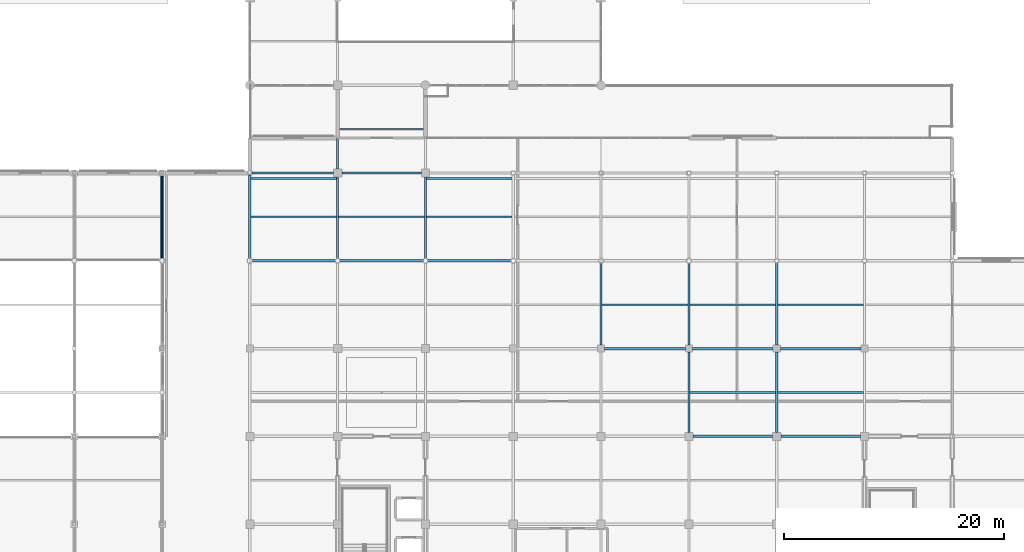
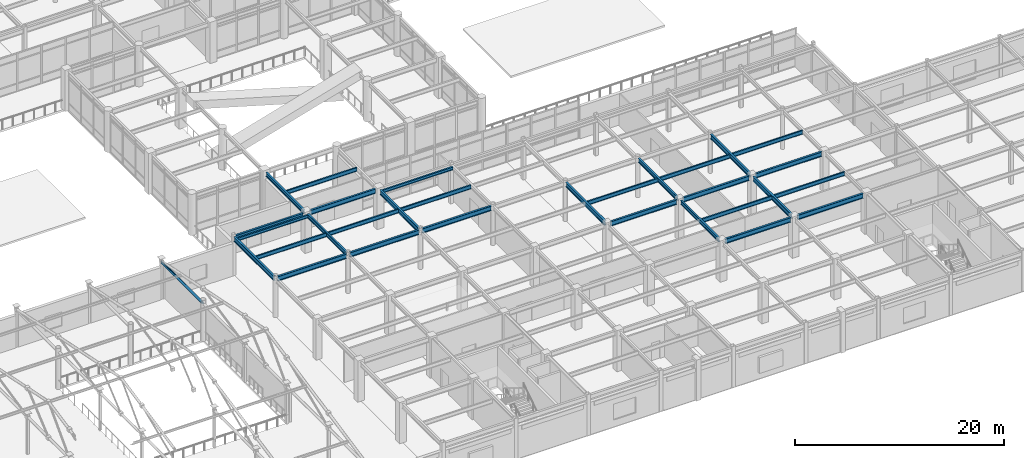
# One storey, part 32 of 117: 30 beams, 2 members.
"""IFC4 building model written with IfcOpenShell, lengths in metres."""

from ifc_helpers import new_model, si_unit, direction, frame, origin, origin_2d, place, context, subcontext, project, spatial, hollow_circle, i_section, extrude, material, material_profile, profile_set, type_object, element, save


model = new_model("IFC4")

# Units and contexts
model_context = context("Model", 3, precision=1e-05, world=origin(), true_north=direction((0.0, 1.0)))
body_context = subcontext(model_context, "Body", "Model", "MODEL_VIEW")
ifc_project = project(units=[si_unit("LENGTHUNIT", "METRE"), si_unit("AREAUNIT", "SQUARE_METRE"), si_unit("VOLUMEUNIT", "CUBIC_METRE"), si_unit("PLANEANGLEUNIT", "RADIAN"), si_unit("MASSUNIT", "GRAM", prefix="KILO")], contexts=[model_context])

# Site, building, storey
site_placement = place(None, origin())
site = spatial("IfcSite", under=ifc_project, at=site_placement, CompositionType="ELEMENT")
building_placement = place(site_placement, origin())
building = spatial("IfcBuilding", under=site, at=building_placement, Name="Solmirada Galleria", CompositionType="ELEMENT")
storey_placement = place(building_placement, frame((0.0, 0.0, 5.60009765625)))
storey = spatial("IfcBuildingStorey", under=building, at=storey_placement, Name="L01", CompositionType="ELEMENT", Elevation=5.60009765625)

# Beams
ifc_material_1 = material(Name="Steel S355 / ASTM A992 Grade 50", Category="steel")
ifc_material_profile_1 = material_profile(ifc_material_1, i_section(OverallWidth=0.194091796875, OverallDepth=0.468994140625, WebThickness=0.0126953125, FlangeThickness=0.0205078125, FilletRadius=0.013916015625, at=origin_2d()), Name="W18X71")
ifc_profile_set_1 = profile_set([ifc_material_profile_1], Name="Steel S355 / ASTM A992 Grade 50")
beam_type_1 = type_object("IfcBeamType", Name="BM-GIRD-W18B", PredefinedType="BEAM", material=ifc_profile_set_1)
beam_1_placement = place(storey_placement, frame((88.0, 32.19189453125, 4.325439453125), z_axis=(0.0, 1.0, 0.0), x_axis=(-1.0, 0.0, 0.0)))
element("IfcBeam", 1, at=beam_1_placement, inside=storey, type_object=beam_type_1, Name="Primary girder L02 Y(88, 32..40)", PredefinedType="BEAM", context=body_context, shape_type="SweptSolid", body=[
    extrude(i_section(OverallWidth=0.194091796875, OverallDepth=0.468994140625, WebThickness=0.0126953125, FlangeThickness=0.0205078125, FilletRadius=0.013916015625, at=origin_2d()), origin(), (0.0, 0.0, 1.0), 7.43310546875),
])
beam_2_placement = place(storey_placement, frame((88.0, 40.375, 4.325439453125), z_axis=(0.0, 1.0, 0.0), x_axis=(-1.0, 0.0, 0.0)))
element("IfcBeam", 2, at=beam_2_placement, inside=storey, type_object=beam_type_1, Name="Primary girder L02 Y(88, 40..48)", PredefinedType="BEAM", context=body_context, shape_type="SweptSolid", body=[
    extrude(i_section(OverallWidth=0.194091796875, OverallDepth=0.468994140625, WebThickness=0.0126953125, FlangeThickness=0.0205078125, FilletRadius=0.013916015625, at=origin_2d()), origin(), (0.0, 0.0, 1.0), 7.22509765625),
])
beam_3_placement = place(storey_placement, frame((120.0, 16.375, 4.365478515625), z_axis=(0.0, 1.0, 0.0), x_axis=(-1.0, 0.0, 0.0)))
element("IfcBeam", 3, at=beam_3_placement, inside=storey, type_object=beam_type_1, Name="Primary girder L02 Y(120, 16..24)", PredefinedType="BEAM", context=body_context, shape_type="SweptSolid", body=[
    extrude(i_section(OverallWidth=0.194091796875, OverallDepth=0.468994140625, WebThickness=0.0126953125, FlangeThickness=0.0205078125, FilletRadius=0.013916015625, at=origin_2d()), origin(), (0.0, 0.0, 1.0), 7.300048828125),
])
beam_4_placement = place(storey_placement, frame((120.0, 24.324951171875, 4.365478515625), z_axis=(0.0, 1.0, 0.0), x_axis=(-1.0, 0.0, 0.0)))
element("IfcBeam", 4, at=beam_4_placement, inside=storey, type_object=beam_type_1, Name="Primary girder L02 Y(120, 24..32)", PredefinedType="BEAM", context=body_context, shape_type="SweptSolid", body=[
    extrude(i_section(OverallWidth=0.194091796875, OverallDepth=0.468994140625, WebThickness=0.0126953125, FlangeThickness=0.0205078125, FilletRadius=0.013916015625, at=origin_2d()), origin(), (0.0, 0.0, 1.0), 7.483154296875),
])
ifc_material_profile_2 = material_profile(ifc_material_1, i_section(OverallWidth=0.214111328125, OverallDepth=0.549072265625, WebThickness=0.0146484375, FlangeThickness=0.023681640625, FilletRadius=0.014892578125, at=origin_2d()), Name="W21X93")
ifc_profile_set_2 = profile_set([ifc_material_profile_2], Name="Steel S355 / ASTM A992 Grade 50")
beam_type_2 = type_object("IfcBeamType", Name="BM-GIRD-W21A", PredefinedType="BEAM", material=ifc_profile_set_2)
beam_5_placement = place(storey_placement, frame((80.21337890625, 32.0, 4.325439453125), z_axis=(1.0, 0.0, 0.0), x_axis=(0.0, 1.0, 0.0)))
element("IfcBeam", 5, at=beam_5_placement, inside=storey, type_object=beam_type_2, Name="Primary beam L02 X(80..88, 32)", PredefinedType="BEAM", context=body_context, shape_type="SweptSolid", body=[
    extrude(i_section(OverallWidth=0.214111328125, OverallDepth=0.549072265625, WebThickness=0.0146484375, FlangeThickness=0.023681640625, FilletRadius=0.014892578125, at=origin_2d()), origin(), (0.0, 0.0, 1.0), 7.5947265625),
])
for number, where, z_axis, x_axis, name in (
    (6, (88.19189453125, 32.0, 4.325439453125), (1.0, 0.0, 0.0), (0.0, 1.0, 0.0), "Primary beam L02 X(88..96, 32)"),
    (7, (96.19189453125, 32.0, 4.325439453125), (1.0, 0.0, 0.0), (0.0, 1.0, 0.0), "Primary beam L02 X(96..104, 32)"),
):
    element("IfcBeam", number, at=place(storey_placement, frame(where, z_axis=z_axis, x_axis=x_axis)), inside=storey, type_object=beam_type_2, Name=name, PredefinedType="BEAM", context=body_context, shape_type="SweptSolid", body=[
        extrude(i_section(OverallWidth=0.214111328125, OverallDepth=0.549072265625, WebThickness=0.0146484375, FlangeThickness=0.023681640625, FilletRadius=0.014892578125, at=origin_2d()), origin(), (0.0, 0.0, 1.0), 7.6162109375),
    ])
for number, where, z_axis, x_axis, name in (
    (8, (120.375, 16.0, 4.325439453125), (1.0, 0.0, 0.0), (0.0, 1.0, 0.0), "Primary beam L02 X(120..128, 16)"),
    (9, (128.375, 16.0, 4.325439453125), (1.0, 0.0, 0.0), (0.0, 1.0, 0.0), "Primary beam L02 X(128..136, 16)"),
):
    element("IfcBeam", number, at=place(storey_placement, frame(where, z_axis=z_axis, x_axis=x_axis)), inside=storey, type_object=beam_type_2, Name=name, PredefinedType="BEAM", context=body_context, shape_type="SweptSolid", body=[
        extrude(i_section(OverallWidth=0.214111328125, OverallDepth=0.549072265625, WebThickness=0.0146484375, FlangeThickness=0.023681640625, FilletRadius=0.014892578125, at=origin_2d()), origin(), (0.0, 0.0, 1.0), 7.25),
    ])
ifc_material_profile_3 = material_profile(ifc_material_1, i_section(OverallWidth=0.2099609375, OverallDepth=0.537109375, WebThickness=0.010986328125, FlangeThickness=0.017333984375, FilletRadius=0.014892578125, at=origin_2d()), Name="W21X68")
ifc_profile_set_3 = profile_set([ifc_material_profile_3], Name="Steel S355 / ASTM A992 Grade 50")
beam_type_3 = type_object("IfcBeamType", Name="BM-GIRD-W21B", PredefinedType="BEAM", material=ifc_profile_set_3)
beam_6_placement = place(storey_placement, frame((80.177978515625, 40.0, 4.29150390625), z_axis=(1.0, 0.0, 0.0), x_axis=(0.0, 1.0, 0.0)))
element("IfcBeam", 10, at=beam_6_placement, inside=storey, type_object=beam_type_3, Name="Primary beam L02 X(80..88, 40)", PredefinedType="BEAM", context=body_context, shape_type="SweptSolid", body=[
    extrude(i_section(OverallWidth=0.2099609375, OverallDepth=0.537109375, WebThickness=0.010986328125, FlangeThickness=0.017333984375, FilletRadius=0.014892578125, at=origin_2d()), origin(), (0.0, 0.0, 1.0), 7.447021484375),
])
beam_7_placement = place(storey_placement, frame((88.375, 40.0, 4.331298828125), z_axis=(1.0, 0.0, 0.0), x_axis=(0.0, 1.0, 0.0)))
element("IfcBeam", 11, at=beam_7_placement, inside=storey, type_object=beam_type_3, Name="Primary beam L02 X(88..96, 40)", PredefinedType="BEAM", context=body_context, shape_type="SweptSolid", body=[
    extrude(i_section(OverallWidth=0.2099609375, OverallDepth=0.537109375, WebThickness=0.010986328125, FlangeThickness=0.017333984375, FilletRadius=0.014892578125, at=origin_2d()), origin(), (0.0, 0.0, 1.0), 7.25),
])
for number, where, z_axis, x_axis, name in (
    (12, (112.324951171875, 24.0, 4.331298828125), (1.0, 0.0, 0.0), (0.0, 1.0, 0.0), "Primary beam L02 X(112..120, 24)"),
    (13, (120.324951171875, 24.0, 4.331298828125), (1.0, 0.0, 0.0), (0.0, 1.0, 0.0), "Primary beam L02 X(120..128, 24)"),
    (14, (128.324951171875, 24.0, 4.331298828125), (1.0, 0.0, 0.0), (0.0, 1.0, 0.0), "Primary beam L02 X(128..136, 24)"),
):
    element("IfcBeam", number, at=place(storey_placement, frame(where, z_axis=z_axis, x_axis=x_axis)), inside=storey, type_object=beam_type_3, Name=name, PredefinedType="BEAM", context=body_context, shape_type="SweptSolid", body=[
        extrude(i_section(OverallWidth=0.2099609375, OverallDepth=0.537109375, WebThickness=0.010986328125, FlangeThickness=0.017333984375, FilletRadius=0.014892578125, at=origin_2d()), origin(), (0.0, 0.0, 1.0), 7.35009765625),
    ])
beam_8_placement = place(storey_placement, frame((80.0, 32.21337890625, 4.29150390625), z_axis=(0.0, 1.0, 0.0), x_axis=(-1.0, 0.0, 0.0)))
element("IfcBeam", 15, at=beam_8_placement, inside=storey, type_object=beam_type_3, Name="Primary girder L02 Y(80, 32..40)", PredefinedType="BEAM", context=body_context, shape_type="SweptSolid", body=[
    extrude(i_section(OverallWidth=0.2099609375, OverallDepth=0.537109375, WebThickness=0.010986328125, FlangeThickness=0.017333984375, FilletRadius=0.014892578125, at=origin_2d()), origin(), (0.0, 0.0, 1.0), 7.608642578125),
])
beam_9_placement = place(storey_placement, frame((96.0, 32.19189453125, 4.29150390625), z_axis=(0.0, 1.0, 0.0), x_axis=(-1.0, 0.0, 0.0)))
element("IfcBeam", 16, at=beam_9_placement, inside=storey, type_object=beam_type_3, Name="Primary girder L02 Y(96, 32..40)", PredefinedType="BEAM", context=body_context, shape_type="SweptSolid", body=[
    extrude(i_section(OverallWidth=0.2099609375, OverallDepth=0.537109375, WebThickness=0.010986328125, FlangeThickness=0.017333984375, FilletRadius=0.014892578125, at=origin_2d()), origin(), (0.0, 0.0, 1.0), 7.43310546875),
])
beam_10_placement = place(storey_placement, frame((112.0, 24.324951171875, 4.331298828125), z_axis=(0.0, 1.0, 0.0), x_axis=(-1.0, 0.0, 0.0)))
element("IfcBeam", 17, at=beam_10_placement, inside=storey, type_object=beam_type_3, Name="Primary girder L02 Y(112, 24..32)", PredefinedType="BEAM", context=body_context, shape_type="SweptSolid", body=[
    extrude(i_section(OverallWidth=0.2099609375, OverallDepth=0.537109375, WebThickness=0.010986328125, FlangeThickness=0.017333984375, FilletRadius=0.014892578125, at=origin_2d()), origin(), (0.0, 0.0, 1.0), 7.483154296875),
])
beam_11_placement = place(storey_placement, frame((128.0, 16.375, 4.331298828125), z_axis=(0.0, 1.0, 0.0), x_axis=(-1.0, 0.0, 0.0)))
element("IfcBeam", 18, at=beam_11_placement, inside=storey, type_object=beam_type_3, Name="Primary girder L02 Y(128, 16..24)", PredefinedType="BEAM", context=body_context, shape_type="SweptSolid", body=[
    extrude(i_section(OverallWidth=0.2099609375, OverallDepth=0.537109375, WebThickness=0.010986328125, FlangeThickness=0.017333984375, FilletRadius=0.014892578125, at=origin_2d()), origin(), (0.0, 0.0, 1.0), 7.300048828125),
])
beam_12_placement = place(storey_placement, frame((128.0, 24.324951171875, 4.331298828125), z_axis=(0.0, 1.0, 0.0), x_axis=(-1.0, 0.0, 0.0)))
element("IfcBeam", 19, at=beam_12_placement, inside=storey, type_object=beam_type_3, Name="Primary girder L02 Y(128, 24..32)", PredefinedType="BEAM", context=body_context, shape_type="SweptSolid", body=[
    extrude(i_section(OverallWidth=0.2099609375, OverallDepth=0.537109375, WebThickness=0.010986328125, FlangeThickness=0.017333984375, FilletRadius=0.014892578125, at=origin_2d()), origin(), (0.0, 0.0, 1.0), 7.504638671875),
])
ifc_material_profile_4 = material_profile(ifc_material_1, i_section(OverallWidth=0.1708984375, OverallDepth=0.35205078125, WebThickness=0.0068359375, FlangeThickness=0.009765625, FilletRadius=0.010986328125, at=origin_2d()), Name="W14X30")
ifc_profile_set_4 = profile_set([ifc_material_profile_4], Name="Steel S355 / ASTM A992 Grade 50")
beam_type_4 = type_object("IfcBeamType", Name="BM-JST-W14B", PredefinedType="JOIST", material=ifc_profile_set_4)
for number, where, z_axis, x_axis, name in (
    (20, (80.10498046875, 39.5, 4.3837890625), (1.0, 0.0, 0.0), (0.0, 1.0, 0.0), "Terrace deck joist L02-TERR-SW X=80..88 (1)"),
    (21, (96.10498046875, 39.5, 4.3837890625), (1.0, 0.0, 0.0), (0.0, 1.0, 0.0), "Terrace deck joist L02-TERR-SE X=96..104 (1)"),
):
    element("IfcBeam", number, at=place(storey_placement, frame(where, z_axis=z_axis, x_axis=x_axis)), inside=storey, type_object=beam_type_4, Name=name, PredefinedType="JOIST", context=body_context, shape_type="SweptSolid", body=[
        extrude(i_section(OverallWidth=0.1708984375, OverallDepth=0.35205078125, WebThickness=0.0068359375, FlangeThickness=0.009765625, FilletRadius=0.010986328125, at=origin_2d()), origin(), (0.0, 0.0, 1.0), 7.798095703125),
    ])
ifc_material_profile_5 = material_profile(ifc_material_1, i_section(OverallWidth=0.152099609375, OverallDepth=0.449951171875, WebThickness=0.007568359375, FlangeThickness=0.0107421875, FilletRadius=0.011962890625, at=origin_2d()), Name="W18X35")
ifc_profile_set_5 = profile_set([ifc_material_profile_5], Name="Steel S355 / ASTM A992 Grade 50")
beam_type_5 = type_object("IfcBeamType", Name="BM-JST-W18B", PredefinedType="JOIST", material=ifc_profile_set_5)
for number, where, z_axis, x_axis, name in (
    (22, (80.10498046875, 36.0, 4.3349609375), (1.0, 0.0, 0.0), (0.0, 1.0, 0.0), "Composite floor joist L02 (80..88, 36.0)"),
    (23, (88.096923828125, 36.0, 4.3349609375), (1.0, 0.0, 0.0), (0.0, 1.0, 0.0), "Composite floor joist L02 (88..96, 36.0)"),
    (24, (88.096923828125, 44.0, 4.3349609375), (1.0, 0.0, 0.0), (0.0, 1.0, 0.0), "Composite floor joist L02 (88..96, 44.0)"),
    (25, (96.10498046875, 36.0, 4.3349609375), (1.0, 0.0, 0.0), (0.0, 1.0, 0.0), "Composite floor joist L02 (96..104, 36.0)"),
    (26, (112.10498046875, 28.0, 4.375), (1.0, 0.0, 0.0), (0.0, 1.0, 0.0), "Composite floor joist L02 (112..120, 28.0)"),
    (27, (120.096923828125, 20.0, 4.375), (1.0, 0.0, 0.0), (0.0, 1.0, 0.0), "Composite floor joist L02 (120..128, 20.0)"),
    (28, (120.096923828125, 28.0, 4.375), (1.0, 0.0, 0.0), (0.0, 1.0, 0.0), "Composite floor joist L02 (120..128, 28.0)"),
    (29, (128.10498046875, 20.0, 4.375), (1.0, 0.0, 0.0), (0.0, 1.0, 0.0), "Composite floor joist L02 (128..136, 20.0)"),
    (30, (128.10498046875, 28.0, 4.375), (1.0, 0.0, 0.0), (0.0, 1.0, 0.0), "Composite floor joist L02 (128..136, 28.0)"),
):
    element("IfcBeam", number, at=place(storey_placement, frame(where, z_axis=z_axis, x_axis=x_axis)), inside=storey, type_object=beam_type_5, Name=name, PredefinedType="JOIST", context=body_context, shape_type="SweptSolid", body=[
        extrude(i_section(OverallWidth=0.152099609375, OverallDepth=0.449951171875, WebThickness=0.007568359375, FlangeThickness=0.0107421875, FilletRadius=0.011962890625, at=origin_2d()), origin(), (0.0, 0.0, 1.0), 7.798095703125),
    ])

# Members
ifc_material_2 = material(Name="Steel S355 / ASTM A500 Grade C", Category="steel")
ifc_material_profile_6 = material_profile(ifc_material_2, hollow_circle(Radius=0.136474609375, WallThickness=0.0087890625, at=origin_2d()), Name="HSS10.750X0.375")
ifc_profile_set_6 = profile_set([ifc_material_profile_6], Name="Steel S355 / ASTM A500 Grade C")
member_type_1 = type_object("IfcMemberType", Name="MEM-FH-CHORD", PredefinedType="CHORD", material=ifc_profile_set_6)
member_1_placement = place(storey_placement, frame((72.0, 32.21337890625, 4.2998046875), z_axis=(0.0, 1.0, 0.0), x_axis=(-1.0, 0.0, 0.0)))
element("IfcMember", 31, at=member_1_placement, inside=storey, type_object=member_type_1, Name="Food Hall truss bottom chord X=72", PredefinedType="CHORD", context=body_context, shape_type="SweptSolid", body=[
    extrude(hollow_circle(Radius=0.136474609375, WallThickness=0.0087890625, at=origin_2d()), origin(), (0.0, 0.0, 1.0), 7.65966796875),
])
ifc_material_profile_7 = material_profile(ifc_material_2, hollow_circle(Radius=0.083984375, WallThickness=0.006591796875, at=origin_2d()), Name="HSS6.625X0.280")
ifc_profile_set_7 = profile_set([ifc_material_profile_7], Name="Steel S355 / ASTM A500 Grade C")
member_type_2 = type_object("IfcMemberType", Name="MEM-FH-WEB", PredefinedType="BRACE", material=ifc_profile_set_7)
member_2_placement = place(storey_placement, frame((72.0, 32.0, 4.2998046875), z_axis=(0.0, 0.99994990606, 0.010009264196), x_axis=(-1.0, 0.0, 0.0)))
element("IfcMember", 32, at=member_2_placement, inside=storey, type_object=member_type_2, Name="Food Hall truss web diagonal X=72", PredefinedType="BRACE", context=body_context, shape_type="SweptSolid", body=[
    extrude(hollow_circle(Radius=0.083984375, WallThickness=0.006591796875, at=origin_2d()), origin(), (0.0, 0.0, 1.0), 8.00048828125),
])

save(model, "model.ifc")
